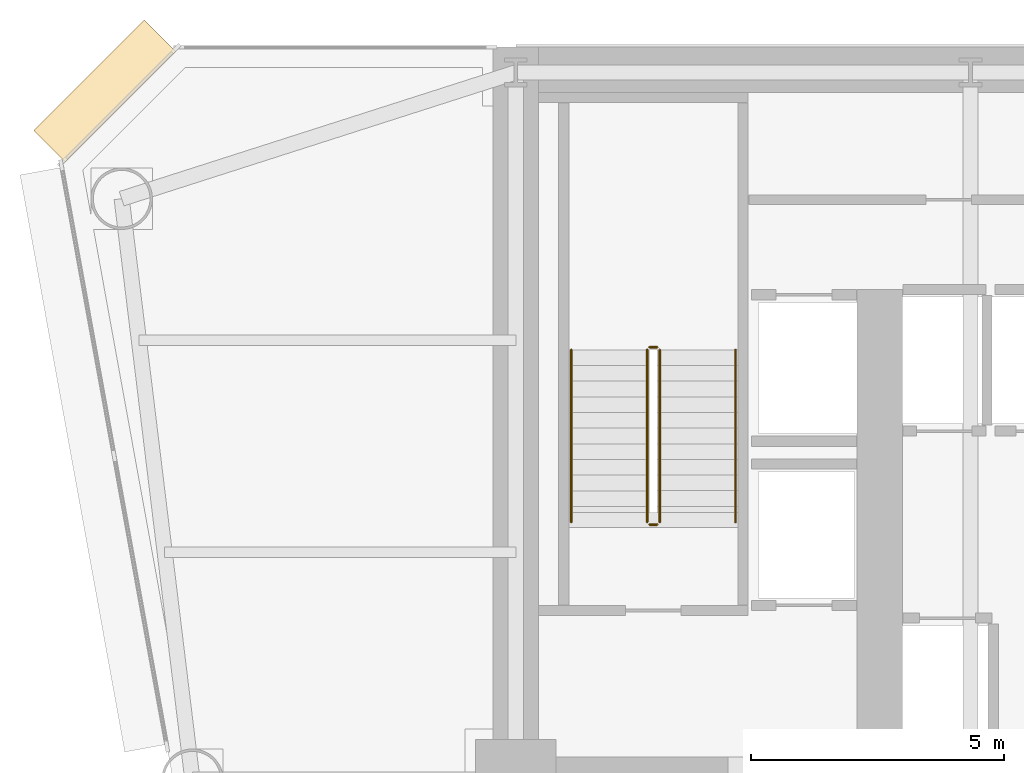
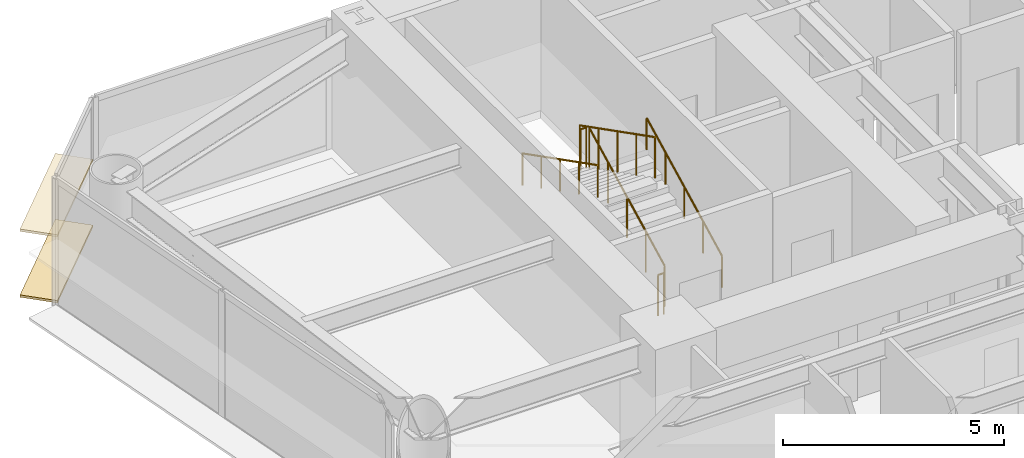
# One storey, part 12 of 14: 6 railings, 2 coverings.
"""IFC4 building model written with IfcOpenShell, lengths in metres."""

from ifc_helpers import new_model, si_unit, direction, frame, origin, origin_2d, place, context, subcontext, project, spatial, rectangle, circle, extrude, source, transform, mapped, material, layer, layer_set, type_object, element, save


model = new_model("IFC4")

# Units and contexts
model_context = context("Model", 3, precision=1e-05, world=origin(), true_north=direction((0.0, 1.0)))
body_context = subcontext(model_context, "Body", "Model", "MODEL_VIEW")
ifc_project = project(units=[si_unit("LENGTHUNIT", "METRE"), si_unit("AREAUNIT", "SQUARE_METRE"), si_unit("VOLUMEUNIT", "CUBIC_METRE"), si_unit("PLANEANGLEUNIT", "RADIAN"), si_unit("MASSUNIT", "GRAM", prefix="KILO")], contexts=[model_context])

# Site, building, storey
site_placement = place(None, origin())
site = spatial("IfcSite", under=ifc_project, at=site_placement, CompositionType="ELEMENT")
building_placement = place(site_placement, origin())
building = spatial("IfcBuilding", under=site, at=building_placement, Name="Vaeldorn Concourse Tower", CompositionType="ELEMENT")
storey_placement = place(building_placement, frame((0.0, 0.0, 26.39990234375)))
storey = spatial("IfcBuildingStorey", under=building, at=storey_placement, Name="L06", CompositionType="ELEMENT", Elevation=26.39990234375)

# Railings
ifc_material = material(Name="Anodised Bronze Aluminium", Category="aluminium")
railing_type_1 = type_object("IfcRailingType", Name="RL-STAIR-GUARD", PredefinedType="GUARDRAIL", material=ifc_material)
railing_1_placement = place(storey_placement, frame((16.85009765625, 41.60009765625, 0.158447265625)))
element("IfcRailing", 1, at=railing_1_placement, inside=storey, type_object=railing_type_1, Name="L06 ST-1 stair guard 1", PredefinedType="GUARDRAIL", context=body_context, shape_type="SweptSolid", body=[
    extrude(circle(Radius=0.02392578125, at=origin_2d()), frame((0.0, 0.0, 1.1259765625), z_axis=(0.0, 0.890555807335, 0.454873997962), x_axis=(-1.0, 0.0, 0.0)), (0.0, 0.0, 1.0), 3.828857421875),
    extrude(circle(Radius=0.02099609375, at=origin_2d()), origin(), (0.0, 0.0, 1.0), 1.101806640625),
    extrude(circle(Radius=0.02099609375, at=origin_2d()), frame((0.0, 0.8525390625, 0.435546875)), (0.0, 0.0, 1.0), 1.101806640625),
    extrude(circle(Radius=0.02099609375, at=origin_2d()), frame((0.0, 1.705078125, 0.870849609375)), (0.0, 0.0, 1.0), 1.101806640625),
    extrude(circle(Radius=0.02099609375, at=origin_2d()), frame((0.0, 2.557373046875, 1.30615234375)), (0.0, 0.0, 1.0), 1.101806640625),
    extrude(circle(Radius=0.02099609375, at=origin_2d()), frame((0.0, 3.409912109375, 1.74169921875)), (0.0, 0.0, 1.0), 1.101806640625),
])
railing_2_placement = place(storey_placement, frame((16.800048828125, 45.06005859375, 1.900146484375)))
element("IfcRailing", 2, at=railing_2_placement, inside=storey, type_object=railing_type_1, Name="L06 ST-1 stair guard 2", PredefinedType="GUARDRAIL", context=body_context, shape_type="SweptSolid", body=[
    extrude(circle(Radius=0.02392578125, at=origin_2d()), frame((0.0, 0.0, 1.1259765625), z_axis=(-1.0, 0.0, 0.0), x_axis=(0.0, -1.0, 0.0)), (0.0, 0.0, 1.0), 0.150146484375),
    extrude(circle(Radius=0.02099609375, at=origin_2d()), origin(), (0.0, 0.0, 1.0), 1.101806640625),
    extrude(circle(Radius=0.02099609375, at=origin_2d()), frame((-0.150146484375, 0.0, 0.0)), (0.0, 0.0, 1.0), 1.101806640625),
])
railing_3_placement = place(storey_placement, frame((16.60009765625, 45.010009765625, 2.058349609375)))
element("IfcRailing", 3, at=railing_3_placement, inside=storey, type_object=railing_type_1, Name="L06 ST-1 stair guard 3", PredefinedType="GUARDRAIL", context=body_context, shape_type="SweptSolid", body=[
    extrude(circle(Radius=0.02392578125, at=origin_2d()), frame((0.0, 0.0, 1.1259765625), z_axis=(0.0, -0.890555807335, 0.454873997962), x_axis=(1.0, 0.0, 0.0)), (0.0, 0.0, 1.0), 3.828857421875),
    extrude(circle(Radius=0.02099609375, at=origin_2d()), origin(), (0.0, 0.0, 1.0), 1.101806640625),
    extrude(circle(Radius=0.02099609375, at=origin_2d()), frame((0.0, -0.8525390625, 0.435546875)), (0.0, 0.0, 1.0), 1.101806640625),
    extrude(circle(Radius=0.02099609375, at=origin_2d()), frame((0.0, -1.705078125, 0.870849609375)), (0.0, 0.0, 1.0), 1.101806640625),
    extrude(circle(Radius=0.02099609375, at=origin_2d()), frame((0.0, -2.557373046875, 1.30615234375)), (0.0, 0.0, 1.0), 1.101806640625),
    extrude(circle(Radius=0.02099609375, at=origin_2d()), frame((0.0, -3.409912109375, 1.74169921875)), (0.0, 0.0, 1.0), 1.101806640625),
])
railing_4_placement = place(storey_placement, frame((16.800048828125, 41.550048828125, 0.0)))
element("IfcRailing", 4, at=railing_4_placement, inside=storey, type_object=railing_type_1, Name="L06 ST-1 stair guard 4", PredefinedType="GUARDRAIL", context=body_context, shape_type="SweptSolid", body=[
    extrude(circle(Radius=0.02392578125, at=origin_2d()), frame((0.0, 0.0, 1.1259765625), z_axis=(-1.0, 0.0, 0.0), x_axis=(0.0, -1.0, 0.0)), (0.0, 0.0, 1.0), 0.150146484375),
    extrude(circle(Radius=0.02099609375, at=origin_2d()), origin(), (0.0, 0.0, 1.0), 1.101806640625),
    extrude(circle(Radius=0.02099609375, at=origin_2d()), frame((-0.150146484375, 0.0, 0.0)), (0.0, 0.0, 1.0), 1.101806640625),
])
railing_type_2 = type_object("IfcRailingType", Name="RL-STAIR-HANDRAIL", PredefinedType="HANDRAIL", material=ifc_material)
railing_5_placement = place(storey_placement, frame((18.35009765625, 41.60009765625, 0.158447265625)))
element("IfcRailing", 5, at=railing_5_placement, inside=storey, type_object=railing_type_2, Name="L06 ST-1 stair handrail 1", PredefinedType="HANDRAIL", context=body_context, shape_type="SweptSolid", body=[
    extrude(circle(Radius=0.02392578125, at=origin_2d()), frame((0.0, 0.0, 0.8759765625), z_axis=(0.0, 0.890555807335, 0.454873997962), x_axis=(-1.0, 0.0, 0.0)), (0.0, 0.0, 1.0), 3.828857421875),
    extrude(circle(Radius=0.02099609375, at=origin_2d()), origin(), (0.0, 0.0, 1.0), 0.851806640625),
    extrude(circle(Radius=0.02099609375, at=origin_2d()), frame((0.0, 0.8525390625, 0.435546875)), (0.0, 0.0, 1.0), 0.851806640625),
    extrude(circle(Radius=0.02099609375, at=origin_2d()), frame((0.0, 1.705078125, 0.870849609375)), (0.0, 0.0, 1.0), 0.851806640625),
    extrude(circle(Radius=0.02099609375, at=origin_2d()), frame((0.0, 2.557373046875, 1.30615234375)), (0.0, 0.0, 1.0), 0.851806640625),
    extrude(circle(Radius=0.02099609375, at=origin_2d()), frame((0.0, 3.409912109375, 1.74169921875)), (0.0, 0.0, 1.0), 0.851806640625),
])
railing_6_placement = place(storey_placement, frame((15.10009765625, 45.010009765625, 2.058349609375)))
element("IfcRailing", 6, at=railing_6_placement, inside=storey, type_object=railing_type_2, Name="L06 ST-1 stair handrail 2", PredefinedType="HANDRAIL", context=body_context, shape_type="SweptSolid", body=[
    extrude(circle(Radius=0.02392578125, at=origin_2d()), frame((0.0, 0.0, 0.8759765625), z_axis=(0.0, -0.890555807335, 0.454873997962), x_axis=(1.0, 0.0, 0.0)), (0.0, 0.0, 1.0), 3.828857421875),
    extrude(circle(Radius=0.02099609375, at=origin_2d()), origin(), (0.0, 0.0, 1.0), 0.851806640625),
    extrude(circle(Radius=0.02099609375, at=origin_2d()), frame((0.0, -0.8525390625, 0.435546875)), (0.0, 0.0, 1.0), 0.851806640625),
    extrude(circle(Radius=0.02099609375, at=origin_2d()), frame((0.0, -1.705078125, 0.870849609375)), (0.0, 0.0, 1.0), 0.851806640625),
    extrude(circle(Radius=0.02099609375, at=origin_2d()), frame((0.0, -2.557373046875, 1.30615234375)), (0.0, 0.0, 1.0), 0.851806640625),
    extrude(circle(Radius=0.02099609375, at=origin_2d()), frame((0.0, -3.409912109375, 1.74169921875)), (0.0, 0.0, 1.0), 0.851806640625),
])

# Coverings
ifc_layer = layer(ifc_material, 0.06494140625)
ifc_layer_set = layer_set([ifc_layer], Name="Anodised Bronze Aluminium")
covering_type = type_object("IfcCoveringType", Name="SD-BRONZE-SUNSHADE", PredefinedType="USERDEFINED", material=ifc_layer_set)
shared_shape = source(origin(), body_context, "Body", "SweptSolid", [
    extrude(rectangle(XDim=3.0927734375, YDim=0.8798828125, at=origin_2d()), origin(), (0.0, 0.0, 1.0), 0.06494140625),
])
for number, where, z_axis, x_axis, name in (
    (7, (5.8671875, 50.1328125, 0.047607421875), (0.0, 0.0, 1.0), (-0.707106781187, -0.707106781187, 0.0), "Horizontal Bronze Sunshade L06-E10.1.1"),
    (8, (5.8671875, 50.1328125, 1.86767578125), (0.0, 0.0, 1.0), (-0.707106781187, -0.707106781187, 0.0), "Horizontal Bronze Sunshade L06-E10.1.2"),
):
    element("IfcCovering", number, at=place(storey_placement, frame(where, z_axis=z_axis, x_axis=x_axis)), inside=storey, type_object=covering_type, Name=name, ObjectType="SUNSHADE", PredefinedType="USERDEFINED", context=body_context, shape_type="MappedRepresentation", body=[
        mapped(shared_shape, transform((0.0, 0.0, 0.0), scale=1.0)),
    ])

save(model, "model.ifc")
